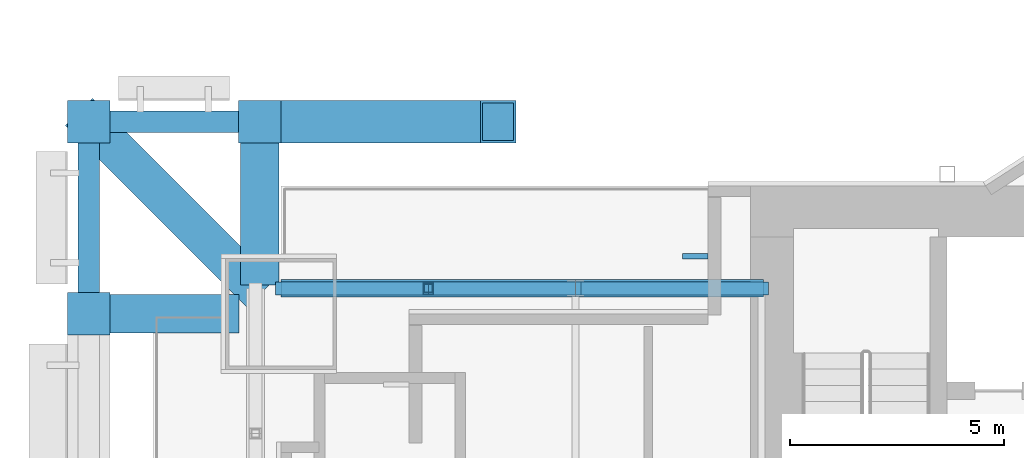
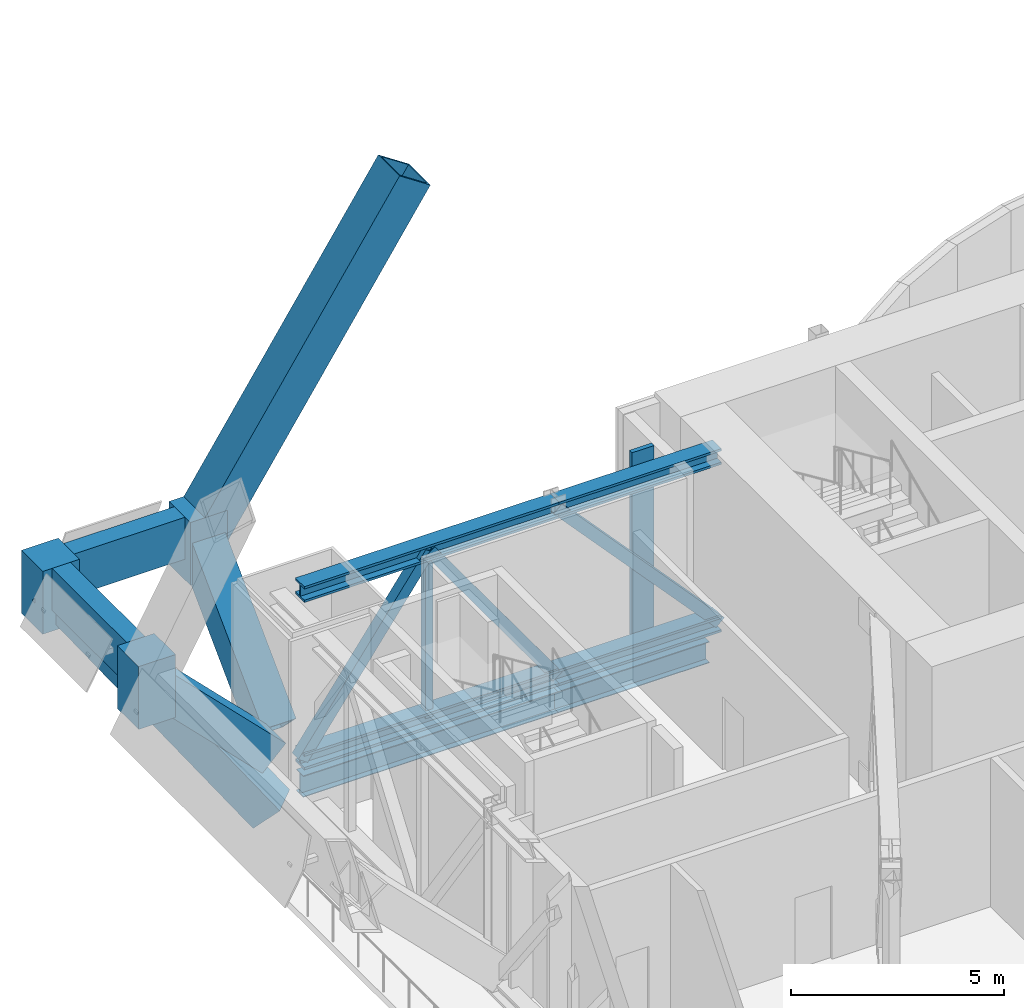
# One storey, part 12 of 30: 16 members, 4 beams, 1 element without a shape of its own.
"""IFC4 building model written with IfcOpenShell, lengths in metres."""

from ifc_helpers import new_model, si_unit, direction, frame, origin, origin_2d, place, context, subcontext, project, spatial, rectangle, hollow_rectangle, i_section, extrude, material, material_profile, profile_set, type_object, element, aggregate, save


model = new_model("IFC4")

# Units and contexts
model_context = context("Model", 3, precision=1e-05, world=origin(), true_north=direction((0.0, 1.0)))
body_context = subcontext(model_context, "Body", "Model", "MODEL_VIEW")
ifc_project = project(units=[si_unit("LENGTHUNIT", "METRE"), si_unit("AREAUNIT", "SQUARE_METRE"), si_unit("VOLUMEUNIT", "CUBIC_METRE"), si_unit("PLANEANGLEUNIT", "RADIAN"), si_unit("MASSUNIT", "GRAM", prefix="KILO")], contexts=[model_context])

# Site, building, storey
site_placement = place(None, origin())
site = spatial("IfcSite", under=ifc_project, at=site_placement, CompositionType="ELEMENT")
building_placement = place(site_placement, origin())
building = spatial("IfcBuilding", under=site, at=building_placement, Name="Bicima Exchange Tower", CompositionType="ELEMENT")
storey_placement = place(building_placement, frame((0.0, 0.0, 185.5)))
storey = spatial("IfcBuildingStorey", under=building, at=storey_placement, Name="L41", CompositionType="ELEMENT", Elevation=185.5)

# Curtain wall, member
ifc_material_1 = material(Name="Anodised bronze aluminium", Category="aluminium")
curtain_wall_type = type_object("IfcCurtainWallType", Name="Band blade screen", PredefinedType="NOTDEFINED", material=ifc_material_1)
curtain_wall_placement = place(storey_placement, origin())
curtain_wall = element("IfcCurtainWall", 1, at=curtain_wall_placement, inside=storey, type_object=curtain_wall_type, Name="Band blade screen L41", PredefinedType="NOTDEFINED")
ifc_material_profile_1 = material_profile(ifc_material_1, rectangle(XDim=0.60009765625, YDim=0.1201171875, at=origin_2d()))
ifc_profile_set_1 = profile_set([ifc_material_profile_1], Name="Anodised bronze aluminium")
member_type_1 = type_object("IfcMemberType", Name="Band blade fin 600 x 120", PredefinedType="USERDEFINED", material=ifc_profile_set_1)
member_1_placement = place(storey_placement, frame((-23.300048828125, -1.64990234375, 0.0), z_axis=(0.0, 0.0, 1.0), x_axis=(1.0, 0.0, 0.0)))
member_1 = element("IfcMember", 2, at=member_1_placement, type_object=member_type_1, Name="Band blade fin 11", ObjectType="FIN", PredefinedType="USERDEFINED", context=body_context, shape_type="SweptSolid", body=[
    extrude(rectangle(XDim=0.60009765625, YDim=0.1201171875, at=origin_2d()), origin(), (0.0, 0.0, 1.0), 5.25),
])
aggregate(curtain_wall, [member_1])

# Beams
ifc_material_2 = material(Name="Steel ASTM A572 Gr 50", Category="steel")
ifc_material_profile_2 = material_profile(ifc_material_2, hollow_rectangle(XDim=0.5, YDim=1.199951171875, WallThickness=0.0400390625, at=origin_2d()))
ifc_profile_set_2 = profile_set([ifc_material_profile_2], Name="Steel ASTM A572 Gr 50")
beam_type_1 = type_object("IfcBeamType", Name="Belt girder BOX 500x1200x40", PredefinedType="BEAM", material=ifc_profile_set_2)
beam_1_placement = place(storey_placement, frame((-33.5, 1.5, 4.64990234375), z_axis=(-1.0, 0.0, 0.0), x_axis=(0.0, -1.0, 0.0)))
element("IfcBeam", 3, at=beam_1_placement, inside=storey, type_object=beam_type_1, Name="Belt girder", PredefinedType="BEAM", context=body_context, shape_type="SweptSolid", body=[
    extrude(hollow_rectangle(XDim=0.5, YDim=1.199951171875, WallThickness=0.0400390625, at=origin_2d()), origin(), (0.0, 0.0, 1.0), 4.0),
])
beam_2_placement = place(storey_placement, frame((-37.5, 1.5, 4.64990234375), z_axis=(0.0, -1.0, 0.0), x_axis=(1.0, 0.0, 0.0)))
element("IfcBeam", 4, at=beam_2_placement, inside=storey, type_object=beam_type_1, Name="Belt girder", PredefinedType="BEAM", context=body_context, shape_type="SweptSolid", body=[
    extrude(hollow_rectangle(XDim=0.5, YDim=1.199951171875, WallThickness=0.0400390625, at=origin_2d()), origin(), (0.0, 0.0, 1.0), 4.5),
])

# Members
ifc_material_3 = material(Name="Steel ASTM A992 Gr 50", Category="steel")
ifc_material_profile_3 = material_profile(ifc_material_3, i_section(OverallWidth=0.419189453125, OverallDepth=0.45458984375, WebThickness=0.042236328125, FlangeThickness=0.067626953125, at=origin_2d()))
ifc_profile_set_3 = profile_set([ifc_material_profile_3], Name="Steel ASTM A992 Gr 50")
member_type_2 = type_object("IfcMemberType", Name="Belt truss chord W14x370", PredefinedType="CHORD", material=ifc_profile_set_3)
for number, where, z_axis, x_axis, name in (
    (5, (-21.699951171875, -2.39990234375, 5.022705078125), (-1.0, 0.0, 0.0), (0.0, -1.0, 0.0), "Top chord"),
    (6, (-21.699951171875, -2.39990234375, 0.227294921875), (-1.0, 0.0, 0.0), (0.0, -1.0, 0.0), "Bottom chord"),
):
    element("IfcMember", number, at=place(storey_placement, frame(where, z_axis=z_axis, x_axis=x_axis)), inside=storey, type_object=member_type_2, Name=name, PredefinedType="CHORD", context=body_context, shape_type="SweptSolid", body=[
        extrude(i_section(OverallWidth=0.419189453125, OverallDepth=0.45458984375, WebThickness=0.042236328125, FlangeThickness=0.067626953125, at=origin_2d()), origin(), (0.0, 0.0, 1.0), 4.400146484375),
    ])
for number, where, z_axis, x_axis, name in (
    (7, (-26.10009765625, -2.39990234375, 5.022705078125), (-1.0, 0.0, 0.0), (0.0, -1.0, 0.0), "Top chord"),
    (8, (-26.10009765625, -2.39990234375, 0.227294921875), (-1.0, 0.0, 0.0), (0.0, -1.0, 0.0), "Bottom chord"),
):
    element("IfcMember", number, at=place(storey_placement, frame(where, z_axis=z_axis, x_axis=x_axis)), inside=storey, type_object=member_type_2, Name=name, PredefinedType="CHORD", context=body_context, shape_type="SweptSolid", body=[
        extrude(i_section(OverallWidth=0.419189453125, OverallDepth=0.45458984375, WebThickness=0.042236328125, FlangeThickness=0.067626953125, at=origin_2d()), origin(), (0.0, 0.0, 1.0), 6.89990234375),
    ])
ifc_material_profile_4 = material_profile(ifc_material_2, hollow_rectangle(XDim=0.3046875, YDim=0.3046875, WallThickness=0.01171875, at=origin_2d()))
ifc_profile_set_4 = profile_set([ifc_material_profile_4], Name="Steel ASTM A572 Gr 50")
member_type_3 = type_object("IfcMemberType", Name="Belt truss diagonal HSS12x12x1/2", PredefinedType="STRUT", material=ifc_profile_set_4)
member_2_placement = place(storey_placement, frame((-21.699951171875, -2.39990234375, 0.227294921875), z_axis=(-0.676088063862, 0.0, 0.736820826187), x_axis=(0.0, -1.0, 0.0)))
element("IfcMember", 9, at=member_2_placement, inside=storey, type_object=member_type_3, Name="Truss diagonal", PredefinedType="STRUT", context=body_context, shape_type="SweptSolid", body=[
    extrude(hollow_rectangle(XDim=0.3046875, YDim=0.3046875, WallThickness=0.01171875, at=origin_2d()), origin(), (0.0, 0.0, 1.0), 6.50830078125),
])
for number, where, z_axis, x_axis, name in (
    (10, (-26.10009765625, -2.39990234375, 0.227294921875), (-0.583998756388, 0.0, 0.811754551905), (0.0, -1.0, 0.0), "Truss diagonal"),
    (11, (-29.550048828125, -2.39990234375, 5.022705078125), (-0.583998756388, 0.0, -0.811754551905), (0.0, -1.0, 0.0), "Truss diagonal"),
):
    element("IfcMember", number, at=place(storey_placement, frame(where, z_axis=z_axis, x_axis=x_axis)), inside=storey, type_object=member_type_3, Name=name, PredefinedType="STRUT", context=body_context, shape_type="SweptSolid", body=[
        extrude(hollow_rectangle(XDim=0.3046875, YDim=0.3046875, WallThickness=0.01171875, at=origin_2d()), origin(), (0.0, 0.0, 1.0), 5.907470703125),
    ])
ifc_material_profile_5 = material_profile(ifc_material_2, hollow_rectangle(XDim=0.203125, YDim=0.203125, WallThickness=0.01171875, at=origin_2d()))
ifc_profile_set_5 = profile_set([ifc_material_profile_5], Name="Steel ASTM A572 Gr 50")
member_type_4 = type_object("IfcMemberType", Name="Belt truss post HSS8x8x1/2", PredefinedType="POST", material=ifc_profile_set_5)
member_3_placement = place(storey_placement, frame((-29.550048828125, -2.39990234375, 0.227294921875), z_axis=(0.0, 0.0, 1.0), x_axis=(1.0, 0.0, 0.0)))
element("IfcMember", 12, at=member_3_placement, inside=storey, type_object=member_type_4, Name="Truss post", PredefinedType="POST", context=body_context, shape_type="SweptSolid", body=[
    extrude(hollow_rectangle(XDim=0.203125, YDim=0.203125, WallThickness=0.01171875, at=origin_2d()), origin(), (0.0, 0.0, 1.0), 4.79541015625),
])
ifc_material_profile_6 = material_profile(ifc_material_2, hollow_rectangle(XDim=1.0, YDim=1.0, WallThickness=0.06005859375, at=origin_2d()))
ifc_profile_set_6 = profile_set([ifc_material_profile_6], Name="Steel ASTM A572 Gr 50")
member_type_5 = type_object("IfcMemberType", Name="Exo mega brace BOX 1000x1000x60", PredefinedType="BRACE", material=ifc_profile_set_6)
member_4_placement = place(storey_placement, frame((-33.5, 1.5, 4.5), z_axis=(0.552785436873, 0.0, 0.833323623079), x_axis=(0.0, 1.0, 0.0)))
element("IfcMember", 13, at=member_4_placement, inside=storey, type_object=member_type_5, Name="Exo mega brace rear", PredefinedType="BRACE", context=body_context, shape_type="SweptSolid", body=[
    extrude(hollow_rectangle(XDim=1.0, YDim=1.0, WallThickness=0.06005859375, at=origin_2d()), origin(), (0.0, 0.0, 1.0), 10.10009765625),
])
ifc_material_4 = material(Name="Cast steel ASTM A216 Gr WCB", Category="steel")
ifc_material_profile_7 = material_profile(ifc_material_4, rectangle(XDim=1.0, YDim=1.0, at=origin_2d()))
ifc_profile_set_7 = profile_set([ifc_material_profile_7], Name="Cast steel ASTM A216 Gr WCB")
member_type_6 = type_object("IfcMemberType", Name="Exo node block", PredefinedType="POST", material=ifc_profile_set_7)
for number, where, z_axis, x_axis, name in (
    (14, (-33.5, 1.5, 3.449951171875), (0.0, 0.0, 1.0), (1.0, 0.0, 0.0), "Exo node block"),
    (15, (-37.5, 1.5, 3.449951171875), (0.0, 0.0, 1.0), (1.0, 0.0, 0.0), "Exo node block"),
    (16, (-37.5, -3.0, 3.449951171875), (0.0, 0.0, 1.0), (1.0, 0.0, 0.0), "Exo node block"),
):
    element("IfcMember", number, at=place(storey_placement, frame(where, z_axis=z_axis, x_axis=x_axis)), inside=storey, type_object=member_type_6, Name=name, PredefinedType="POST", context=body_context, shape_type="SweptSolid", body=[
        extrude(rectangle(XDim=1.0, YDim=1.0, at=origin_2d()), origin(), (0.0, 0.0, 1.0), 1.800048828125),
    ])
ifc_material_profile_8 = material_profile(ifc_material_2, hollow_rectangle(XDim=0.89990234375, YDim=0.89990234375, WallThickness=0.050048828125, at=origin_2d()))
ifc_profile_set_8 = profile_set([ifc_material_profile_8], Name="Steel ASTM A572 Gr 50")
member_type_7 = type_object("IfcMemberType", Name="Exo outrigger stub BOX 900x900x50", PredefinedType="STRUT", material=ifc_profile_set_8)
member_5_placement = place(storey_placement, frame((-33.5, -2.0, 1.0), z_axis=(0.0, 0.707106781187, 0.707106781187), x_axis=(-1.0, 0.0, 0.0)))
element("IfcMember", 17, at=member_5_placement, inside=storey, type_object=member_type_7, Name="Exo outrigger stub", PredefinedType="STRUT", context=body_context, shape_type="SweptSolid", body=[
    extrude(hollow_rectangle(XDim=0.89990234375, YDim=0.89990234375, WallThickness=0.050048828125, at=origin_2d()), origin(), (0.0, 0.0, 1.0), 4.94970703125),
])
member_6_placement = place(storey_placement, frame((-33.70703125, -2.29296875, -1.06396484375), z_axis=(-0.490771835187, 0.490771835187, 0.719920837019), x_axis=(-0.707106781187, -0.707106781187, 0.0)))
element("IfcMember", 18, at=member_6_placement, inside=storey, type_object=member_type_7, Name="Exo outrigger stub", PredefinedType="STRUT", context=body_context, shape_type="SweptSolid", body=[
    extrude(hollow_rectangle(XDim=0.89990234375, YDim=0.89990234375, WallThickness=0.050048828125, at=origin_2d()), origin(), (0.0, 0.0, 1.0), 7.728515625),
])
member_7_placement = place(storey_placement, frame((-34.300048828125, -3.0, 1.300048828125), z_axis=(-0.707106781187, 0.0, 0.707106781187), x_axis=(0.0, -1.0, 0.0)))
element("IfcMember", 19, at=member_7_placement, inside=storey, type_object=member_type_7, Name="Exo outrigger stub", PredefinedType="STRUT", context=body_context, shape_type="SweptSolid", body=[
    extrude(hollow_rectangle(XDim=0.89990234375, YDim=0.89990234375, WallThickness=0.050048828125, at=origin_2d()), origin(), (0.0, 0.0, 1.0), 4.525390625),
])

# Beams
ifc_material_profile_9 = material_profile(ifc_material_3, i_section(OverallWidth=0.3251953125, OverallDepth=0.612060546875, WebThickness=0.0126953125, FlangeThickness=0.01904296875, at=origin_2d()))
ifc_profile_set_9 = profile_set([ifc_material_profile_9], Name="Steel ASTM A992 Gr 50")
beam_type_2 = type_object("IfcBeamType", Name="Rear girder W24x104", PredefinedType="BEAM", material=ifc_profile_set_9)
beam_3_placement = place(storey_placement, frame((-22.0, -2.39990234375, -0.506103515625), z_axis=(-1.0, 0.0, 0.0), x_axis=(0.0, -1.0, 0.0)))
element("IfcBeam", 20, at=beam_3_placement, inside=storey, type_object=beam_type_2, Name="Rear girder", PredefinedType="BEAM", context=body_context, shape_type="SweptSolid", body=[
    extrude(i_section(OverallWidth=0.3251953125, OverallDepth=0.612060546875, WebThickness=0.0126953125, FlangeThickness=0.01904296875, at=origin_2d()), origin(), (0.0, 0.0, 1.0), 4.10009765625),
])
beam_4_placement = place(storey_placement, frame((-26.10009765625, -2.39990234375, -0.506103515625), z_axis=(-1.0, 0.0, 0.0), x_axis=(0.0, -1.0, 0.0)))
element("IfcBeam", 21, at=beam_4_placement, inside=storey, type_object=beam_type_2, Name="Rear girder", PredefinedType="BEAM", context=body_context, shape_type="SweptSolid", body=[
    extrude(i_section(OverallWidth=0.3251953125, OverallDepth=0.612060546875, WebThickness=0.0126953125, FlangeThickness=0.01904296875, at=origin_2d()), origin(), (0.0, 0.0, 1.0), 6.89990234375),
])

save(model, "model.ifc")
